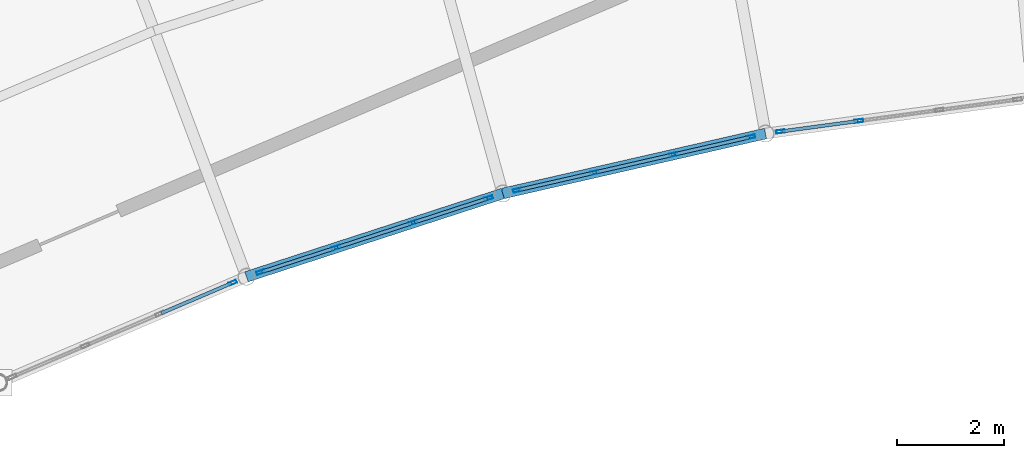
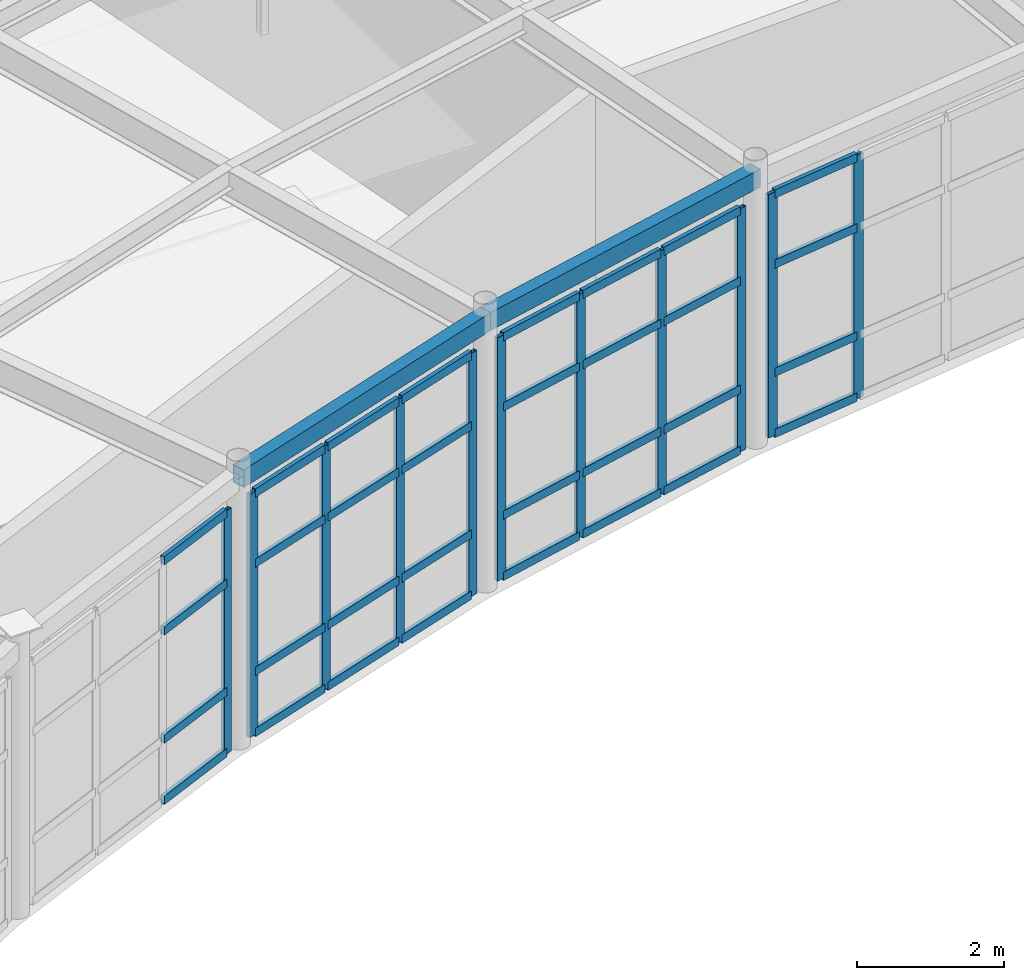
# One storey, part 61 of 105: 43 members, 2 beams, 4 elements without a shape of their own.
"""IFC4 building model written with IfcOpenShell, lengths in metres."""

from ifc_helpers import new_model, si_unit, direction, frame, origin, origin_2d, place, context, subcontext, project, spatial, hollow_rectangle, extrude, material, layer, layer_set, material_profile, profile_set, type_object, element, aggregate, save


model = new_model("IFC4")

# Units and contexts
model_context = context("Model", 3, precision=1e-05, world=origin(), true_north=direction((0.0, 1.0)))
body_context = subcontext(model_context, "Body", "Model", "MODEL_VIEW")
ifc_project = project(units=[si_unit("LENGTHUNIT", "METRE"), si_unit("AREAUNIT", "SQUARE_METRE"), si_unit("VOLUMEUNIT", "CUBIC_METRE"), si_unit("PLANEANGLEUNIT", "RADIAN"), si_unit("MASSUNIT", "GRAM", prefix="KILO")], contexts=[model_context])

# Site, building, storey
site_placement = place(None, origin())
site = spatial("IfcSite", under=ifc_project, at=site_placement, CompositionType="ELEMENT")
building_placement = place(site_placement, origin())
building = spatial("IfcBuilding", under=site, at=building_placement, Name="Selat Folded Stagehouse", CompositionType="ELEMENT")
storey_placement = place(building_placement, frame((0.0, 0.0, 10.199951171875)))
storey = spatial("IfcBuildingStorey", under=building, at=storey_placement, Name="L02", CompositionType="ELEMENT", Elevation=10.199951171875)

# Curtain wall, member
ifc_material_1 = material(Name="Aluminium 6063-T6", Category="aluminium")
ifc_layer = layer(ifc_material_1, 0.18994140625)
ifc_layer_set = layer_set([ifc_layer], Name="Aluminium 6063-T6")
curtain_wall_type = type_object("IfcCurtainWallType", Name="CW-REH-ARC", PredefinedType="NOTDEFINED", material=ifc_layer_set)
curtain_wall_1_placement = place(storey_placement, origin())
curtain_wall_1 = element("IfcCurtainWall", 1, at=curtain_wall_1_placement, inside=storey, type_object=curtain_wall_type, Name="L02 curtain wall CW-REH-L02-02", PredefinedType="NOTDEFINED")
ifc_material_profile_1 = material_profile(ifc_material_1, hollow_rectangle(XDim=0.06005859375, YDim=0.159912109375, WallThickness=0.00390625, at=origin_2d()), Name="ALU 160x60x4.0")
ifc_profile_set_1 = profile_set([ifc_material_profile_1], Name="Aluminium 6063-T6")
member_type_1 = type_object("IfcMemberType", Name="CWM-MUL-160x60", PredefinedType="MULLION", material=ifc_profile_set_1)
member_1_placement = place(storey_placement, frame((72.465576171875, 90.319091796875, 0.0), z_axis=(0.0, 0.0, 1.0), x_axis=(0.393012226483, -0.919533245639, 0.0)))
member_1 = element("IfcMember", 2, at=member_1_placement, type_object=member_type_1, Name="CW-06 mullion 1", PredefinedType="MULLION", context=body_context, shape_type="SweptSolid", body=[
    extrude(hollow_rectangle(XDim=0.06005859375, YDim=0.159912109375, WallThickness=0.00390625, at=origin_2d()), origin(), (0.0, 0.0, 1.0), 4.050048828125),
])

# Curtain wall, members
curtain_wall_2_placement = place(storey_placement, origin())
curtain_wall_2 = element("IfcCurtainWall", 3, at=curtain_wall_2_placement, inside=storey, type_object=curtain_wall_type, Name="L02 curtain wall CW-REH-L02-03", PredefinedType="NOTDEFINED")
member_2_placement = place(storey_placement, frame((77.235595703125, 91.895263671875, 0.0), z_axis=(0.0, 0.0, 1.0), x_axis=(0.308991620714, -0.951064760323, 0.0)))
member_2 = element("IfcMember", 4, at=member_2_placement, type_object=member_type_1, Name="CW-06 mullion 1", PredefinedType="MULLION", context=body_context, shape_type="SweptSolid", body=[
    extrude(hollow_rectangle(XDim=0.06005859375, YDim=0.159912109375, WallThickness=0.00390625, at=origin_2d()), origin(), (0.0, 0.0, 1.0), 4.050048828125),
])
member_3_placement = place(storey_placement, frame((75.82958984375, 91.4384765625, 0.0), z_axis=(0.0, 0.0, 1.0), x_axis=(0.308991620714, -0.951064760323, 0.0)))
member_3 = element("IfcMember", 5, at=member_3_placement, type_object=member_type_1, Name="CW-06 mullion 2", PredefinedType="MULLION", context=body_context, shape_type="SweptSolid", body=[
    extrude(hollow_rectangle(XDim=0.06005859375, YDim=0.159912109375, WallThickness=0.00390625, at=origin_2d()), origin(), (0.0, 0.0, 1.0), 4.050048828125),
])
member_4_placement = place(storey_placement, frame((74.395263671875, 90.972412109375, 0.0), z_axis=(0.0, 0.0, 1.0), x_axis=(0.308991620714, -0.951064760323, 0.0)))
member_4 = element("IfcMember", 6, at=member_4_placement, type_object=member_type_1, Name="CW-06 mullion 3", PredefinedType="MULLION", context=body_context, shape_type="SweptSolid", body=[
    extrude(hollow_rectangle(XDim=0.06005859375, YDim=0.159912109375, WallThickness=0.00390625, at=origin_2d()), origin(), (0.0, 0.0, 1.0), 4.050048828125),
])
member_5_placement = place(storey_placement, frame((72.9892578125, 90.515869140625, 0.0), z_axis=(0.0, 0.0, 1.0), x_axis=(0.308991620714, -0.951064760323, 0.0)))
member_5 = element("IfcMember", 7, at=member_5_placement, type_object=member_type_1, Name="CW-06 mullion 4", PredefinedType="MULLION", context=body_context, shape_type="SweptSolid", body=[
    extrude(hollow_rectangle(XDim=0.06005859375, YDim=0.159912109375, WallThickness=0.00390625, at=origin_2d()), origin(), (0.0, 0.0, 1.0), 4.050048828125),
])

curtain_wall_3_placement = place(storey_placement, origin())
curtain_wall_3 = element("IfcCurtainWall", 8, at=curtain_wall_3_placement, inside=storey, type_object=curtain_wall_type, Name="L02 curtain wall CW-REH-L02-04", PredefinedType="NOTDEFINED")
member_6_placement = place(storey_placement, frame((82.1279296875, 93.037841796875, 0.0), z_axis=(0.0, 0.0, 1.0), x_axis=(0.222542761079, -0.974922930026, 0.0)))
member_6 = element("IfcMember", 9, at=member_6_placement, type_object=member_type_1, Name="CW-06 mullion 1", PredefinedType="MULLION", context=body_context, shape_type="SweptSolid", body=[
    extrude(hollow_rectangle(XDim=0.06005859375, YDim=0.159912109375, WallThickness=0.00390625, at=origin_2d()), origin(), (0.0, 0.0, 1.0), 4.050048828125),
])
member_7_placement = place(storey_placement, frame((80.6865234375, 92.708740234375, 0.0), z_axis=(0.0, 0.0, 1.0), x_axis=(0.222542761079, -0.974922930026, 0.0)))
member_7 = element("IfcMember", 10, at=member_7_placement, type_object=member_type_1, Name="CW-06 mullion 2", PredefinedType="MULLION", context=body_context, shape_type="SweptSolid", body=[
    extrude(hollow_rectangle(XDim=0.06005859375, YDim=0.159912109375, WallThickness=0.00390625, at=origin_2d()), origin(), (0.0, 0.0, 1.0), 4.050048828125),
])
member_8_placement = place(storey_placement, frame((79.216064453125, 92.373046875, 0.0), z_axis=(0.0, 0.0, 1.0), x_axis=(0.222542761079, -0.974922930026, 0.0)))
member_8 = element("IfcMember", 11, at=member_8_placement, type_object=member_type_1, Name="CW-06 mullion 3", PredefinedType="MULLION", context=body_context, shape_type="SweptSolid", body=[
    extrude(hollow_rectangle(XDim=0.06005859375, YDim=0.159912109375, WallThickness=0.00390625, at=origin_2d()), origin(), (0.0, 0.0, 1.0), 4.050048828125),
])
member_9_placement = place(storey_placement, frame((77.77490234375, 92.044189453125, 0.0), z_axis=(0.0, 0.0, 1.0), x_axis=(0.222542761079, -0.974922930026, 0.0)))
member_9 = element("IfcMember", 12, at=member_9_placement, type_object=member_type_1, Name="CW-06 mullion 4", PredefinedType="MULLION", context=body_context, shape_type="SweptSolid", body=[
    extrude(hollow_rectangle(XDim=0.06005859375, YDim=0.159912109375, WallThickness=0.00390625, at=origin_2d()), origin(), (0.0, 0.0, 1.0), 4.050048828125),
])

curtain_wall_4_placement = place(storey_placement, origin())
curtain_wall_4 = element("IfcCurtainWall", 13, at=curtain_wall_4_placement, inside=storey, type_object=curtain_wall_type, Name="L02 curtain wall CW-REH-L02-05", PredefinedType="NOTDEFINED")
member_10_placement = place(storey_placement, frame((84.14306640625, 93.336181640625, 0.0), z_axis=(0.0, 0.0, 1.0), x_axis=(0.134211766018, -0.990952673876, 0.0)))
member_10 = element("IfcMember", 14, at=member_10_placement, type_object=member_type_1, Name="CW-06 mullion 3", PredefinedType="MULLION", context=body_context, shape_type="SweptSolid", body=[
    extrude(hollow_rectangle(XDim=0.06005859375, YDim=0.159912109375, WallThickness=0.00390625, at=origin_2d()), origin(), (0.0, 0.0, 1.0), 4.050048828125),
])
member_11_placement = place(storey_placement, frame((82.67822265625, 93.1376953125, 0.0), z_axis=(0.0, 0.0, 1.0), x_axis=(0.134211766018, -0.990952673876, 0.0)))
member_11 = element("IfcMember", 15, at=member_11_placement, type_object=member_type_1, Name="CW-06 mullion 4", PredefinedType="MULLION", context=body_context, shape_type="SweptSolid", body=[
    extrude(hollow_rectangle(XDim=0.06005859375, YDim=0.159912109375, WallThickness=0.00390625, at=origin_2d()), origin(), (0.0, 0.0, 1.0), 4.050048828125),
])

# Member
ifc_material_profile_2 = material_profile(ifc_material_1, hollow_rectangle(XDim=0.06494140625, YDim=0.139892578125, WallThickness=0.00390625, at=origin_2d()), Name="ALU 140x65x4.0")
ifc_profile_set_2 = profile_set([ifc_material_profile_2], Name="Aluminium 6063-T6")
member_type_2 = type_object("IfcMemberType", Name="CWM-TRN-140x65", PredefinedType="USERDEFINED", material=ifc_profile_set_2)
member_12_placement = place(storey_placement, frame((72.43798828125, 90.307373046875, 0.032470703125), z_axis=(-0.919545213655, -0.392984223657, 0.0), x_axis=(0.392984223657, -0.919545213655, 0.0)))
member_12 = element("IfcMember", 16, at=member_12_placement, type_object=member_type_2, Name="CW-06 transom 1.1", ObjectType="TRANSOM", PredefinedType="USERDEFINED", context=body_context, shape_type="SweptSolid", body=[
    extrude(hollow_rectangle(XDim=0.06494140625, YDim=0.139892578125, WallThickness=0.00390625, at=origin_2d()), origin(), (0.0, 0.0, 1.0), 1.418212890625),
])

member_13_placement = place(storey_placement, frame((72.43798828125, 90.307373046875, 1.050048828125), z_axis=(-0.919545213655, -0.392984223657, 0.0), x_axis=(0.392984223657, -0.919545213655, 0.0)))
member_13 = element("IfcMember", 17, at=member_13_placement, type_object=member_type_2, Name="CW-06 transom 1.2", ObjectType="TRANSOM", PredefinedType="USERDEFINED", context=body_context, shape_type="SweptSolid", body=[
    extrude(hollow_rectangle(XDim=0.06494140625, YDim=0.139892578125, WallThickness=0.00390625, at=origin_2d()), origin(), (0.0, 0.0, 1.0), 1.418212890625),
])

member_14_placement = place(storey_placement, frame((72.43798828125, 90.307373046875, 2.85009765625), z_axis=(-0.919545213655, -0.392984223657, 0.0), x_axis=(0.392984223657, -0.919545213655, 0.0)))
member_14 = element("IfcMember", 18, at=member_14_placement, type_object=member_type_2, Name="CW-06 transom 1.3", ObjectType="TRANSOM", PredefinedType="USERDEFINED", context=body_context, shape_type="SweptSolid", body=[
    extrude(hollow_rectangle(XDim=0.06494140625, YDim=0.139892578125, WallThickness=0.00390625, at=origin_2d()), origin(), (0.0, 0.0, 1.0), 1.418212890625),
])

member_15_placement = place(storey_placement, frame((72.43798828125, 90.307373046875, 4.017578125), z_axis=(-0.919545213655, -0.392984223657, 0.0), x_axis=(0.392984223657, -0.919545213655, 0.0)))
member_15 = element("IfcMember", 19, at=member_15_placement, type_object=member_type_2, Name="CW-06 transom 1.4", ObjectType="TRANSOM", PredefinedType="USERDEFINED", context=body_context, shape_type="SweptSolid", body=[
    extrude(hollow_rectangle(XDim=0.06494140625, YDim=0.139892578125, WallThickness=0.00390625, at=origin_2d()), origin(), (0.0, 0.0, 1.0), 1.418212890625),
])

aggregate(curtain_wall_1, [member_1, member_12, member_13, member_14, member_15])

member_16_placement = place(storey_placement, frame((77.20703125, 91.885986328125, 0.032470703125), z_axis=(-0.951065688988, -0.308988762305, 0.0), x_axis=(0.308988762305, -0.951065688988, 0.0)))
member_16 = element("IfcMember", 20, at=member_16_placement, type_object=member_type_2, Name="CW-06 transom 1.1", ObjectType="TRANSOM", PredefinedType="USERDEFINED", context=body_context, shape_type="SweptSolid", body=[
    extrude(hollow_rectangle(XDim=0.06494140625, YDim=0.139892578125, WallThickness=0.00390625, at=origin_2d()), origin(), (0.0, 0.0, 1.0), 1.418212890625),
])

member_17_placement = place(storey_placement, frame((77.20703125, 91.885986328125, 1.050048828125), z_axis=(-0.951065688988, -0.308988762305, 0.0), x_axis=(0.308988762305, -0.951065688988, 0.0)))
member_17 = element("IfcMember", 21, at=member_17_placement, type_object=member_type_2, Name="CW-06 transom 1.2", ObjectType="TRANSOM", PredefinedType="USERDEFINED", context=body_context, shape_type="SweptSolid", body=[
    extrude(hollow_rectangle(XDim=0.06494140625, YDim=0.139892578125, WallThickness=0.00390625, at=origin_2d()), origin(), (0.0, 0.0, 1.0), 1.418212890625),
])

member_18_placement = place(storey_placement, frame((77.20703125, 91.885986328125, 2.85009765625), z_axis=(-0.951065688988, -0.308988762305, 0.0), x_axis=(0.308988762305, -0.951065688988, 0.0)))
member_18 = element("IfcMember", 22, at=member_18_placement, type_object=member_type_2, Name="CW-06 transom 1.3", ObjectType="TRANSOM", PredefinedType="USERDEFINED", context=body_context, shape_type="SweptSolid", body=[
    extrude(hollow_rectangle(XDim=0.06494140625, YDim=0.139892578125, WallThickness=0.00390625, at=origin_2d()), origin(), (0.0, 0.0, 1.0), 1.418212890625),
])

member_19_placement = place(storey_placement, frame((77.20703125, 91.885986328125, 4.017578125), z_axis=(-0.951065688988, -0.308988762305, 0.0), x_axis=(0.308988762305, -0.951065688988, 0.0)))
member_19 = element("IfcMember", 23, at=member_19_placement, type_object=member_type_2, Name="CW-06 transom 1.4", ObjectType="TRANSOM", PredefinedType="USERDEFINED", context=body_context, shape_type="SweptSolid", body=[
    extrude(hollow_rectangle(XDim=0.06494140625, YDim=0.139892578125, WallThickness=0.00390625, at=origin_2d()), origin(), (0.0, 0.0, 1.0), 1.418212890625),
])

member_20_placement = place(storey_placement, frame((75.801025390625, 91.42919921875, 0.032470703125), z_axis=(-0.951050174126, -0.309036512883, 0.0), x_axis=(0.309036512883, -0.951050174126, 0.0)))
member_20 = element("IfcMember", 24, at=member_20_placement, type_object=member_type_2, Name="CW-06 transom 2.1", ObjectType="TRANSOM", PredefinedType="USERDEFINED", context=body_context, shape_type="SweptSolid", body=[
    extrude(hollow_rectangle(XDim=0.06494140625, YDim=0.139892578125, WallThickness=0.00390625, at=origin_2d()), origin(), (0.0, 0.0, 1.0), 1.447998046875),
])

member_21_placement = place(storey_placement, frame((75.801025390625, 91.42919921875, 1.050048828125), z_axis=(-0.951050174126, -0.309036512883, 0.0), x_axis=(0.309036512883, -0.951050174126, 0.0)))
member_21 = element("IfcMember", 25, at=member_21_placement, type_object=member_type_2, Name="CW-06 transom 2.2", ObjectType="TRANSOM", PredefinedType="USERDEFINED", context=body_context, shape_type="SweptSolid", body=[
    extrude(hollow_rectangle(XDim=0.06494140625, YDim=0.139892578125, WallThickness=0.00390625, at=origin_2d()), origin(), (0.0, 0.0, 1.0), 1.447998046875),
])

member_22_placement = place(storey_placement, frame((75.801025390625, 91.42919921875, 2.85009765625), z_axis=(-0.951050174126, -0.309036512883, 0.0), x_axis=(0.309036512883, -0.951050174126, 0.0)))
member_22 = element("IfcMember", 26, at=member_22_placement, type_object=member_type_2, Name="CW-06 transom 2.3", ObjectType="TRANSOM", PredefinedType="USERDEFINED", context=body_context, shape_type="SweptSolid", body=[
    extrude(hollow_rectangle(XDim=0.06494140625, YDim=0.139892578125, WallThickness=0.00390625, at=origin_2d()), origin(), (0.0, 0.0, 1.0), 1.447998046875),
])

member_23_placement = place(storey_placement, frame((75.801025390625, 91.42919921875, 4.017578125), z_axis=(-0.951050174126, -0.309036512883, 0.0), x_axis=(0.309036512883, -0.951050174126, 0.0)))
member_23 = element("IfcMember", 27, at=member_23_placement, type_object=member_type_2, Name="CW-06 transom 2.4", ObjectType="TRANSOM", PredefinedType="USERDEFINED", context=body_context, shape_type="SweptSolid", body=[
    extrude(hollow_rectangle(XDim=0.06494140625, YDim=0.139892578125, WallThickness=0.00390625, at=origin_2d()), origin(), (0.0, 0.0, 1.0), 1.447998046875),
])

member_24_placement = place(storey_placement, frame((74.36669921875, 90.96337890625, 0.032470703125), z_axis=(-0.951065688988, -0.308988762305, 0.0), x_axis=(0.308988762305, -0.951065688988, 0.0)))
member_24 = element("IfcMember", 28, at=member_24_placement, type_object=member_type_2, Name="CW-06 transom 3.1", ObjectType="TRANSOM", PredefinedType="USERDEFINED", context=body_context, shape_type="SweptSolid", body=[
    extrude(hollow_rectangle(XDim=0.06494140625, YDim=0.139892578125, WallThickness=0.00390625, at=origin_2d()), origin(), (0.0, 0.0, 1.0), 1.418212890625),
])

member_25_placement = place(storey_placement, frame((74.36669921875, 90.96337890625, 1.050048828125), z_axis=(-0.951065688988, -0.308988762305, 0.0), x_axis=(0.308988762305, -0.951065688988, 0.0)))
member_25 = element("IfcMember", 29, at=member_25_placement, type_object=member_type_2, Name="CW-06 transom 3.2", ObjectType="TRANSOM", PredefinedType="USERDEFINED", context=body_context, shape_type="SweptSolid", body=[
    extrude(hollow_rectangle(XDim=0.06494140625, YDim=0.139892578125, WallThickness=0.00390625, at=origin_2d()), origin(), (0.0, 0.0, 1.0), 1.418212890625),
])

member_26_placement = place(storey_placement, frame((74.36669921875, 90.96337890625, 2.85009765625), z_axis=(-0.951065688988, -0.308988762305, 0.0), x_axis=(0.308988762305, -0.951065688988, 0.0)))
member_26 = element("IfcMember", 30, at=member_26_placement, type_object=member_type_2, Name="CW-06 transom 3.3", ObjectType="TRANSOM", PredefinedType="USERDEFINED", context=body_context, shape_type="SweptSolid", body=[
    extrude(hollow_rectangle(XDim=0.06494140625, YDim=0.139892578125, WallThickness=0.00390625, at=origin_2d()), origin(), (0.0, 0.0, 1.0), 1.418212890625),
])

member_27_placement = place(storey_placement, frame((74.36669921875, 90.96337890625, 4.017578125), z_axis=(-0.951065688988, -0.308988762305, 0.0), x_axis=(0.308988762305, -0.951065688988, 0.0)))
member_27 = element("IfcMember", 31, at=member_27_placement, type_object=member_type_2, Name="CW-06 transom 3.4", ObjectType="TRANSOM", PredefinedType="USERDEFINED", context=body_context, shape_type="SweptSolid", body=[
    extrude(hollow_rectangle(XDim=0.06494140625, YDim=0.139892578125, WallThickness=0.00390625, at=origin_2d()), origin(), (0.0, 0.0, 1.0), 1.418212890625),
])

aggregate(curtain_wall_2, [member_2, member_3, member_4, member_5, member_16, member_17, member_18, member_19, member_20, member_21, member_22, member_23, member_24, member_25, member_26, member_27])

member_28_placement = place(storey_placement, frame((82.0986328125, 93.03125, 0.032470703125), z_axis=(-0.974919361771, -0.222558392438, 0.0), x_axis=(0.222558392438, -0.974919361771, 0.0)))
member_28 = element("IfcMember", 32, at=member_28_placement, type_object=member_type_2, Name="CW-06 transom 1.1", ObjectType="TRANSOM", PredefinedType="USERDEFINED", context=body_context, shape_type="SweptSolid", body=[
    extrude(hollow_rectangle(XDim=0.06494140625, YDim=0.139892578125, WallThickness=0.00390625, at=origin_2d()), origin(), (0.0, 0.0, 1.0), 1.41845703125),
])

member_29_placement = place(storey_placement, frame((82.0986328125, 93.03125, 1.050048828125), z_axis=(-0.974919361771, -0.222558392438, 0.0), x_axis=(0.222558392438, -0.974919361771, 0.0)))
member_29 = element("IfcMember", 33, at=member_29_placement, type_object=member_type_2, Name="CW-06 transom 1.2", ObjectType="TRANSOM", PredefinedType="USERDEFINED", context=body_context, shape_type="SweptSolid", body=[
    extrude(hollow_rectangle(XDim=0.06494140625, YDim=0.139892578125, WallThickness=0.00390625, at=origin_2d()), origin(), (0.0, 0.0, 1.0), 1.41845703125),
])

member_30_placement = place(storey_placement, frame((82.0986328125, 93.03125, 2.85009765625), z_axis=(-0.974919361771, -0.222558392438, 0.0), x_axis=(0.222558392438, -0.974919361771, 0.0)))
member_30 = element("IfcMember", 34, at=member_30_placement, type_object=member_type_2, Name="CW-06 transom 1.3", ObjectType="TRANSOM", PredefinedType="USERDEFINED", context=body_context, shape_type="SweptSolid", body=[
    extrude(hollow_rectangle(XDim=0.06494140625, YDim=0.139892578125, WallThickness=0.00390625, at=origin_2d()), origin(), (0.0, 0.0, 1.0), 1.41845703125),
])

member_31_placement = place(storey_placement, frame((82.0986328125, 93.03125, 4.017578125), z_axis=(-0.974919361771, -0.222558392438, 0.0), x_axis=(0.222558392438, -0.974919361771, 0.0)))
member_31 = element("IfcMember", 35, at=member_31_placement, type_object=member_type_2, Name="CW-06 transom 1.4", ObjectType="TRANSOM", PredefinedType="USERDEFINED", context=body_context, shape_type="SweptSolid", body=[
    extrude(hollow_rectangle(XDim=0.06494140625, YDim=0.139892578125, WallThickness=0.00390625, at=origin_2d()), origin(), (0.0, 0.0, 1.0), 1.41845703125),
])

member_32_placement = place(storey_placement, frame((80.657470703125, 92.7021484375, 0.032470703125), z_axis=(-0.974933771932, -0.222495259155, 0.0), x_axis=(0.222495259155, -0.974933771932, 0.0)))
member_32 = element("IfcMember", 36, at=member_32_placement, type_object=member_type_2, Name="CW-06 transom 2.1", ObjectType="TRANSOM", PredefinedType="USERDEFINED", context=body_context, shape_type="SweptSolid", body=[
    extrude(hollow_rectangle(XDim=0.06494140625, YDim=0.139892578125, WallThickness=0.00390625, at=origin_2d()), origin(), (0.0, 0.0, 1.0), 1.448486328125),
])

member_33_placement = place(storey_placement, frame((80.657470703125, 92.7021484375, 1.050048828125), z_axis=(-0.974933771932, -0.222495259155, 0.0), x_axis=(0.222495259155, -0.974933771932, 0.0)))
member_33 = element("IfcMember", 37, at=member_33_placement, type_object=member_type_2, Name="CW-06 transom 2.2", ObjectType="TRANSOM", PredefinedType="USERDEFINED", context=body_context, shape_type="SweptSolid", body=[
    extrude(hollow_rectangle(XDim=0.06494140625, YDim=0.139892578125, WallThickness=0.00390625, at=origin_2d()), origin(), (0.0, 0.0, 1.0), 1.448486328125),
])

member_34_placement = place(storey_placement, frame((80.657470703125, 92.7021484375, 2.85009765625), z_axis=(-0.974933771932, -0.222495259155, 0.0), x_axis=(0.222495259155, -0.974933771932, 0.0)))
member_34 = element("IfcMember", 38, at=member_34_placement, type_object=member_type_2, Name="CW-06 transom 2.3", ObjectType="TRANSOM", PredefinedType="USERDEFINED", context=body_context, shape_type="SweptSolid", body=[
    extrude(hollow_rectangle(XDim=0.06494140625, YDim=0.139892578125, WallThickness=0.00390625, at=origin_2d()), origin(), (0.0, 0.0, 1.0), 1.448486328125),
])

member_35_placement = place(storey_placement, frame((80.657470703125, 92.7021484375, 4.017578125), z_axis=(-0.974933771932, -0.222495259155, 0.0), x_axis=(0.222495259155, -0.974933771932, 0.0)))
member_35 = element("IfcMember", 39, at=member_35_placement, type_object=member_type_2, Name="CW-06 transom 2.4", ObjectType="TRANSOM", PredefinedType="USERDEFINED", context=body_context, shape_type="SweptSolid", body=[
    extrude(hollow_rectangle(XDim=0.06494140625, YDim=0.139892578125, WallThickness=0.00390625, at=origin_2d()), origin(), (0.0, 0.0, 1.0), 1.448486328125),
])

member_36_placement = place(storey_placement, frame((79.186767578125, 92.366455078125, 0.032470703125), z_axis=(-0.974910833858, -0.222595745749, 0.0), x_axis=(0.222595745749, -0.974910833858, 0.0)))
member_36 = element("IfcMember", 40, at=member_36_placement, type_object=member_type_2, Name="CW-06 transom 3.1", ObjectType="TRANSOM", PredefinedType="USERDEFINED", context=body_context, shape_type="SweptSolid", body=[
    extrude(hollow_rectangle(XDim=0.06494140625, YDim=0.139892578125, WallThickness=0.00390625, at=origin_2d()), origin(), (0.0, 0.0, 1.0), 1.418212890625),
])

member_37_placement = place(storey_placement, frame((79.186767578125, 92.366455078125, 1.050048828125), z_axis=(-0.974910833858, -0.222595745749, 0.0), x_axis=(0.222595745749, -0.974910833858, 0.0)))
member_37 = element("IfcMember", 41, at=member_37_placement, type_object=member_type_2, Name="CW-06 transom 3.2", ObjectType="TRANSOM", PredefinedType="USERDEFINED", context=body_context, shape_type="SweptSolid", body=[
    extrude(hollow_rectangle(XDim=0.06494140625, YDim=0.139892578125, WallThickness=0.00390625, at=origin_2d()), origin(), (0.0, 0.0, 1.0), 1.418212890625),
])

member_38_placement = place(storey_placement, frame((79.186767578125, 92.366455078125, 2.85009765625), z_axis=(-0.974910833858, -0.222595745749, 0.0), x_axis=(0.222595745749, -0.974910833858, 0.0)))
member_38 = element("IfcMember", 42, at=member_38_placement, type_object=member_type_2, Name="CW-06 transom 3.3", ObjectType="TRANSOM", PredefinedType="USERDEFINED", context=body_context, shape_type="SweptSolid", body=[
    extrude(hollow_rectangle(XDim=0.06494140625, YDim=0.139892578125, WallThickness=0.00390625, at=origin_2d()), origin(), (0.0, 0.0, 1.0), 1.418212890625),
])

member_39_placement = place(storey_placement, frame((79.186767578125, 92.366455078125, 4.017578125), z_axis=(-0.974910833858, -0.222595745749, 0.0), x_axis=(0.222595745749, -0.974910833858, 0.0)))
member_39 = element("IfcMember", 43, at=member_39_placement, type_object=member_type_2, Name="CW-06 transom 3.4", ObjectType="TRANSOM", PredefinedType="USERDEFINED", context=body_context, shape_type="SweptSolid", body=[
    extrude(hollow_rectangle(XDim=0.06494140625, YDim=0.139892578125, WallThickness=0.00390625, at=origin_2d()), origin(), (0.0, 0.0, 1.0), 1.418212890625),
])

aggregate(curtain_wall_3, [member_6, member_7, member_8, member_9, member_28, member_29, member_30, member_31, member_32, member_33, member_34, member_35, member_36, member_37, member_38, member_39])

member_40_placement = place(storey_placement, frame((84.113525390625, 93.33203125, 0.032470703125), z_axis=(-0.990968953763, -0.134091508595, 0.0), x_axis=(0.134091508595, -0.990968953763, 0.0)))
member_40 = element("IfcMember", 44, at=member_40_placement, type_object=member_type_2, Name="CW-06 transom 3.1", ObjectType="TRANSOM", PredefinedType="USERDEFINED", context=body_context, shape_type="SweptSolid", body=[
    extrude(hollow_rectangle(XDim=0.06494140625, YDim=0.139892578125, WallThickness=0.00390625, at=origin_2d()), origin(), (0.0, 0.0, 1.0), 1.418212890625),
])

member_41_placement = place(storey_placement, frame((84.113525390625, 93.33203125, 1.050048828125), z_axis=(-0.990968953763, -0.134091508595, 0.0), x_axis=(0.134091508595, -0.990968953763, 0.0)))
member_41 = element("IfcMember", 45, at=member_41_placement, type_object=member_type_2, Name="CW-06 transom 3.2", ObjectType="TRANSOM", PredefinedType="USERDEFINED", context=body_context, shape_type="SweptSolid", body=[
    extrude(hollow_rectangle(XDim=0.06494140625, YDim=0.139892578125, WallThickness=0.00390625, at=origin_2d()), origin(), (0.0, 0.0, 1.0), 1.418212890625),
])

member_42_placement = place(storey_placement, frame((84.113525390625, 93.33203125, 2.85009765625), z_axis=(-0.990968953763, -0.134091508595, 0.0), x_axis=(0.134091508595, -0.990968953763, 0.0)))
member_42 = element("IfcMember", 46, at=member_42_placement, type_object=member_type_2, Name="CW-06 transom 3.3", ObjectType="TRANSOM", PredefinedType="USERDEFINED", context=body_context, shape_type="SweptSolid", body=[
    extrude(hollow_rectangle(XDim=0.06494140625, YDim=0.139892578125, WallThickness=0.00390625, at=origin_2d()), origin(), (0.0, 0.0, 1.0), 1.418212890625),
])

member_43_placement = place(storey_placement, frame((84.113525390625, 93.33203125, 4.017578125), z_axis=(-0.990968953763, -0.134091508595, 0.0), x_axis=(0.134091508595, -0.990968953763, 0.0)))
member_43 = element("IfcMember", 47, at=member_43_placement, type_object=member_type_2, Name="CW-06 transom 3.4", ObjectType="TRANSOM", PredefinedType="USERDEFINED", context=body_context, shape_type="SweptSolid", body=[
    extrude(hollow_rectangle(XDim=0.06494140625, YDim=0.139892578125, WallThickness=0.00390625, at=origin_2d()), origin(), (0.0, 0.0, 1.0), 1.418212890625),
])

aggregate(curtain_wall_4, [member_10, member_11, member_40, member_41, member_42, member_43])

# Beams
ifc_material_2 = material(Name="Steel S355", Category="steel")
ifc_material_profile_3 = material_profile(ifc_material_2, hollow_rectangle(XDim=0.199951171875, YDim=0.300048828125, WallThickness=0.012451171875, at=origin_2d()), Name="RHS 300x200x12.5")
ifc_profile_set_3 = profile_set([ifc_material_profile_3], Name="Steel S355")
beam_type = type_object("IfcBeamType", Name="SPD-RHS-300x200", PredefinedType="SPANDREL", material=ifc_profile_set_3)
for number, where, z_axis, x_axis, name in (
    (48, (72.722900390625, 90.42919921875, 4.449951171875), (0.951060843481, 0.309003676349, 0.0), (-0.309003676349, 0.951060843481, 0.0), "L02 inner curved rehearsal spandrel 4"),
    (49, (77.501953125, 91.98193359375, 4.449951171875), (0.974927211846, 0.222524002305, 0.0), (-0.222524002305, 0.974927211846, 0.0), "L02 inner curved rehearsal spandrel 5"),
):
    element("IfcBeam", number, at=place(storey_placement, frame(where, z_axis=z_axis, x_axis=x_axis)), inside=storey, type_object=beam_type, Name=name, PredefinedType="SPANDREL", context=body_context, shape_type="SweptSolid", body=[
        extrude(hollow_rectangle(XDim=0.199951171875, YDim=0.300048828125, WallThickness=0.012451171875, at=origin_2d()), origin(), (0.0, 0.0, 1.0), 5.02490234375),
    ])

save(model, "model.ifc")
